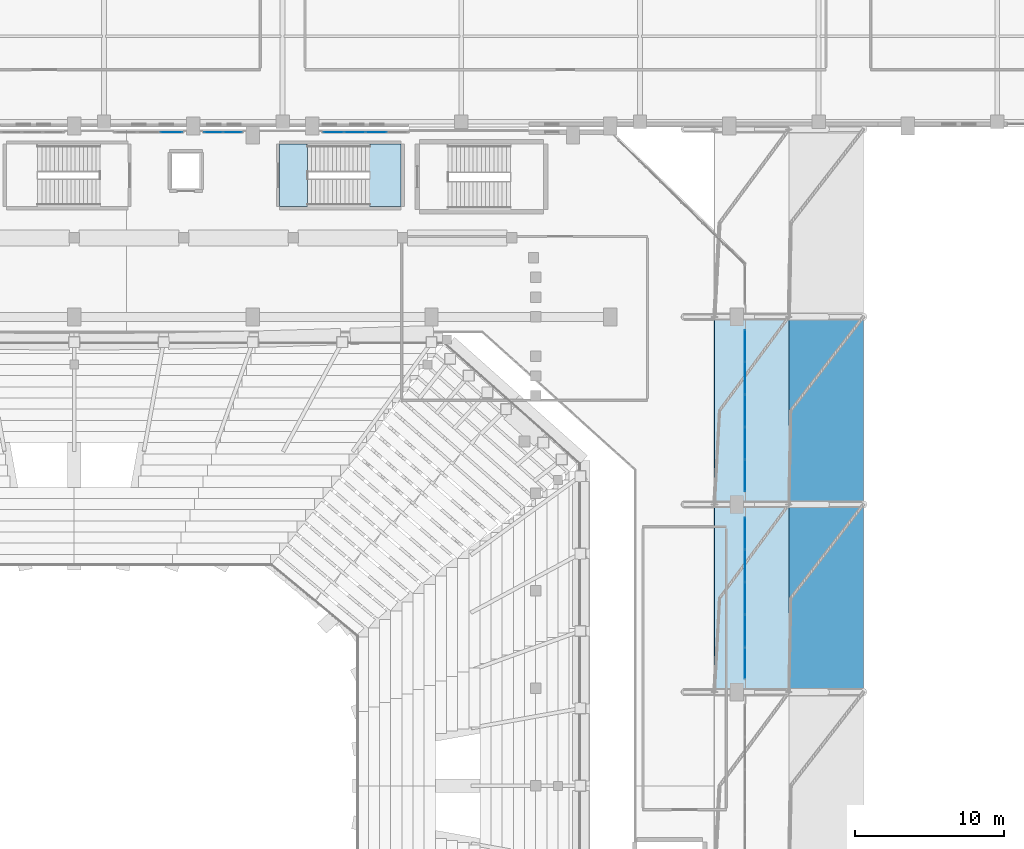
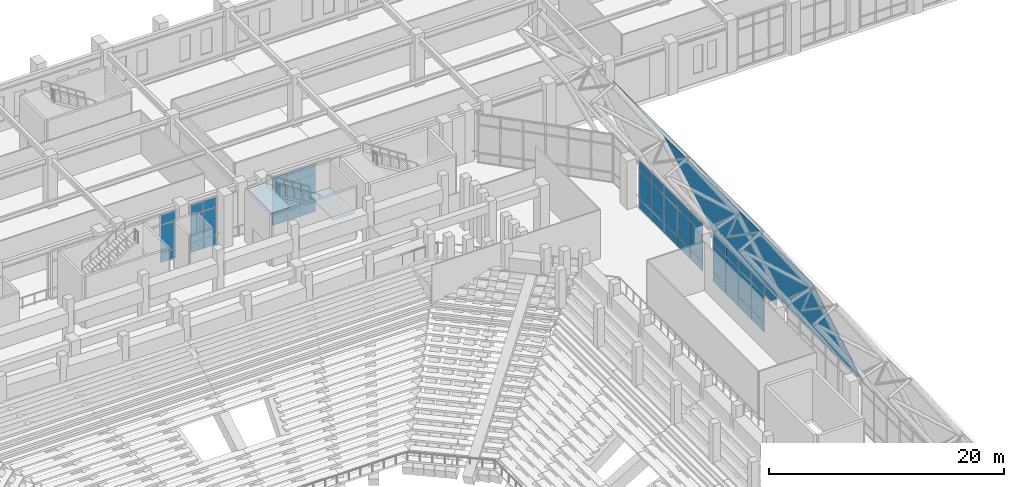
# One storey, part 107 of 159: 50 plates, 2 slabs, 6 elements without a shape of their own.
"""IFC4 building model written with IfcOpenShell, lengths in metres."""

from ifc_helpers import new_model, si_unit, derived_unit, direction, frame, origin, origin_2d, place, context, subcontext, project, spatial, polyline, rectangle, outline, extrude, material, layer, layer_set, type_object, element, aggregate, save


model = new_model("IFC4")

# Units and contexts
model_context = context("Model", 3, precision=1e-05, world=origin(), true_north=direction((0.0, 1.0)))
body_context = subcontext(model_context, "Body", "Model", "MODEL_VIEW")
ifc_project = project(units=[si_unit("LENGTHUNIT", "METRE"), si_unit("AREAUNIT", "SQUARE_METRE"), si_unit("VOLUMEUNIT", "CUBIC_METRE"), si_unit("PLANEANGLEUNIT", "RADIAN"), si_unit("MASSUNIT", "GRAM", prefix="KILO"), derived_unit("THERMALTRANSMITTANCEUNIT", [(si_unit("MASSUNIT", "GRAM", prefix="KILO"), 1), (si_unit("TIMEUNIT", "SECOND"), -3), (si_unit("THERMODYNAMICTEMPERATUREUNIT", "KELVIN"), -1)])], contexts=[model_context])

# Site, building, storey
site_placement = place(None, origin())
site = spatial("IfcSite", under=ifc_project, at=site_placement, CompositionType="ELEMENT")
building_placement = place(site_placement, origin())
building = spatial("IfcBuilding", under=site, at=building_placement, Name="Valcora Ridge Arena", CompositionType="ELEMENT")
storey_placement = place(building_placement, frame((0.0, 0.0, 6.0)))
storey = spatial("IfcBuildingStorey", under=building, at=storey_placement, Name="L01", CompositionType="ELEMENT", Elevation=6.0)

# Stair, slabs
ifc_material_1 = material(Name="Concrete C40/50", Category="concrete")
stair_type = type_object("IfcStairType", Name="TY-STAIR-ES04-54", PredefinedType="HALF_TURN_STAIR", material=ifc_material_1)
stair_placement = place(storey_placement, origin())
stair = element("IfcStair", 1, at=stair_placement, inside=storey, type_object=stair_type, Name="ES04-54 STR-ES-0014", PredefinedType="HALF_TURN_STAIR")
ifc_layer_1 = layer(ifc_material_1, 0.199951171875, Name="Concrete C40/50")
ifc_layer_set_1 = layer_set([ifc_layer_1], Name="Concrete C40/50")
slab_type = type_object("IfcSlabType", Name="TY-LAND-ES04-54", PredefinedType="LANDING", material=ifc_layer_set_1)
slab_1_placement = place(storey_placement, frame((0.0, 0.0, 2.5)))
slab_1 = element("IfcSlab", 2, at=slab_1_placement, type_object=slab_type, Name="ES04-54 landing 1", PredefinedType="LANDING", context=body_context, shape_type="SweptSolid", body=[
    extrude(outline(polyline([(77.840087890625, 103.001953125), (79.9580078125, 103.001953125), (79.9580078125, 107.197998046875), (77.840087890625, 107.197998046875), (77.840087890625, 103.001953125)])), origin(), (0.0, 0.0, 1.0), 0.199951171875),
])
slab_2_placement = place(storey_placement, frame((0.0, 0.0, 5.199951171875)))
slab_2 = element("IfcSlab", 3, at=slab_2_placement, type_object=slab_type, Name="ES04-54 landing 2", PredefinedType="LANDING", context=body_context, shape_type="SweptSolid", body=[
    extrude(outline(polyline([(71.802001953125, 103.001953125), (73.679931640625, 103.001953125), (73.679931640625, 107.197998046875), (71.802001953125, 107.197998046875), (71.802001953125, 103.001953125)])), origin(), (0.0, 0.0, 1.0), 0.199951171875),
])
aggregate(stair, [slab_1, slab_2])

# Plates
ifc_material_2 = material(Name="Steel ASTM A572 Grade 50", Category="steel")
ifc_layer_2 = layer(ifc_material_2, 0.048095703125, Name="Steel ASTM A572 Grade 50")
ifc_layer_set_2 = layer_set([ifc_layer_2], Name="Steel ASTM A572 Grade 50")
plate_type_1 = type_object("IfcPlateType", Name="TY-PLATE-PL-SKIRT-13", PredefinedType="SHEET", material=ifc_layer_set_2)
for number, where, z_axis, x_axis, name in (
    (4, (101.0, 70.39990234375, 13.45361328125), (0.831958588032, 0.0, 0.554837731053), (0.554837731053, 0.0, -0.831958588032), "PL-SKIRT-13 PLT-RF-0009"),
    (5, (101.0, 83.0, 13.45361328125), (0.831958588032, 0.0, 0.554837731053), (0.554837731053, 0.0, -0.831958588032), "PL-SKIRT-13 PLT-RF-0011"),
):
    element("IfcPlate", number, at=place(storey_placement, frame(where, z_axis=z_axis, x_axis=x_axis)), inside=storey, type_object=plate_type_1, Name=name, PredefinedType="SHEET", context=body_context, shape_type="SweptSolid", body=[
        extrude(outline(polyline([(0.0, 0.0), (9.0116438017177, 0.0), (9.0116438017177, 12.60009765625), (0.0, 12.60009765625), (0.0, 0.0)])), origin(), (0.0, 0.0, -1.0), 0.048095703125),
    ])
ifc_layer_3 = layer(ifc_material_2, 0.048095703125, Name="Steel ASTM A572 Grade 50")
ifc_layer_set_3 = layer_set([ifc_layer_3], Name="Steel ASTM A572 Grade 50")
plate_type_2 = type_object("IfcPlateType", Name="TY-PLATE-PL-SKIRT-14", PredefinedType="SHEET", material=ifc_layer_set_3)
for number, where, z_axis, x_axis, name in (
    (6, (106.0, 70.39990234375, 5.956298828125), (0.922302243293, 0.0, 0.386469367501), (0.386469367501, 0.0, -0.922302243293), "PL-SKIRT-14 PLT-RF-0010"),
    (7, (106.0, 83.0, 5.956298828125), (0.922302243293, 0.0, 0.386469367501), (0.386469367501, 0.0, -0.922302243293), "PL-SKIRT-14 PLT-RF-0012"),
):
    element("IfcPlate", number, at=place(storey_placement, frame(where, z_axis=z_axis, x_axis=x_axis)), inside=storey, type_object=plate_type_2, Name=name, PredefinedType="SHEET", context=body_context, shape_type="SweptSolid", body=[
        extrude(outline(polyline([(0.0, 0.0), (12.963536535956582, 0.0), (12.963536535956582, 12.600097656250004), (0.0, 12.600097656250004), (0.0, 0.0)])), origin(), (0.0, 0.0, -1.0), 0.048095703125),
    ])

# Curtain wall, plates
ifc_material_3 = material(Name="Anodised dark bronze architectural aluminium 6063-T6", Category="aluminium")
ifc_layer_4 = layer(ifc_material_3, 0.179931640625, Name="Anodised dark bronze architectural aluminium 6063-T6")
ifc_layer_set_4 = layer_set([ifc_layer_4], Name="Anodised dark bronze architectural aluminium 6063-T6")
curtain_wall_type_1 = type_object("IfcCurtainWallType", Name="TY-CURTAINWALL-CW-V1-GOTH-026X50", PredefinedType="NOTDEFINED", material=ifc_layer_set_4)
curtain_wall_1_placement = place(storey_placement, origin())
curtain_wall_1 = element("IfcCurtainWall", 8, at=curtain_wall_1_placement, inside=storey, type_object=curtain_wall_type_1, Name="CW-V1-GOTH-026X50 CW-0104", PredefinedType="NOTDEFINED")
ifc_material_4 = material(Name="Low-iron solar-control double glazing SHGC 0.28", Category="glass")
ifc_layer_5 = layer(ifc_material_4, 0.031982421875, Name="Low-iron solar-control double glazing SHGC 0.28")
ifc_layer_set_5 = layer_set([ifc_layer_5], Name="Low-iron solar-control double glazing SHGC 0.28")
plate_type_3 = type_object("IfcPlateType", Name="TY-PLT-CWP-1220X0960", PredefinedType="CURTAIN_PANEL", material=ifc_layer_set_5)
plate_1_placement = place(storey_placement, frame((67.360107421875, 108.0, 0.06005859375), z_axis=(0.0, 0.0, 1.0), x_axis=(1.0, 0.0, 0.0)))
plate_1 = element("IfcPlate", 9, at=plate_1_placement, type_object=plate_type_3, Name="CW-0104/P00-00", PredefinedType="CURTAIN_PANEL", context=body_context, shape_type="SweptSolid", body=[
    extrude(rectangle(XDim=1.219970703125, YDim=0.031982421875, at=origin_2d()), origin(), (0.0, 0.0, 1.0), 0.9599609375),
])
plate_2_placement = place(storey_placement, frame((68.639892578125, 108.0, 0.06005859375), z_axis=(0.0, 0.0, 1.0), x_axis=(1.0, 0.0, 0.0)))
plate_2 = element("IfcPlate", 10, at=plate_2_placement, type_object=plate_type_3, Name="CW-0104/P01-00", PredefinedType="CURTAIN_PANEL", context=body_context, shape_type="SweptSolid", body=[
    extrude(rectangle(XDim=1.219970703125, YDim=0.031982421875, at=origin_2d()), origin(), (0.0, 0.0, 1.0), 0.9599609375),
])
ifc_layer_6 = layer(ifc_material_4, 0.031982421875, Name="Low-iron solar-control double glazing SHGC 0.28")
ifc_layer_set_6 = layer_set([ifc_layer_6], Name="Low-iron solar-control double glazing SHGC 0.28")
plate_type_4 = type_object("IfcPlateType", Name="TY-PLT-CWP-1220X1010", PredefinedType="CURTAIN_PANEL", material=ifc_layer_set_6)
plate_3_placement = place(storey_placement, frame((67.360107421875, 108.0, 3.97021484375), z_axis=(0.0, 0.0, 1.0), x_axis=(1.0, 0.0, 0.0)))
plate_3 = element("IfcPlate", 11, at=plate_3_placement, type_object=plate_type_4, Name="CW-0104/P00-02", PredefinedType="CURTAIN_PANEL", context=body_context, shape_type="SweptSolid", body=[
    extrude(rectangle(XDim=1.219970703125, YDim=0.031982421875, at=origin_2d()), origin(), (0.0, 0.0, 1.0), 1.010009765625),
])
plate_4_placement = place(storey_placement, frame((68.639892578125, 108.0, 3.97021484375), z_axis=(0.0, 0.0, 1.0), x_axis=(1.0, 0.0, 0.0)))
plate_4 = element("IfcPlate", 12, at=plate_4_placement, type_object=plate_type_4, Name="CW-0104/P01-02", PredefinedType="CURTAIN_PANEL", context=body_context, shape_type="SweptSolid", body=[
    extrude(rectangle(XDim=1.219970703125, YDim=0.031982421875, at=origin_2d()), origin(), (0.0, 0.0, 1.0), 1.010009765625),
])
ifc_layer_7 = layer(ifc_material_4, 0.031982421875, Name="Low-iron solar-control double glazing SHGC 0.28")
ifc_layer_set_7 = layer_set([ifc_layer_7], Name="Low-iron solar-control double glazing SHGC 0.28")
plate_type_5 = type_object("IfcPlateType", Name="TY-PLT-CWP-1220X2830", PredefinedType="CURTAIN_PANEL", material=ifc_layer_set_7)
plate_5_placement = place(storey_placement, frame((67.360107421875, 108.0, 1.080078125), z_axis=(0.0, 0.0, 1.0), x_axis=(1.0, 0.0, 0.0)))
plate_5 = element("IfcPlate", 13, at=plate_5_placement, type_object=plate_type_5, Name="CW-0104/P00-01", PredefinedType="CURTAIN_PANEL", context=body_context, shape_type="SweptSolid", body=[
    extrude(rectangle(XDim=1.219970703125, YDim=0.031982421875, at=origin_2d()), origin(), (0.0, 0.0, 1.0), 2.830078125),
])
plate_6_placement = place(storey_placement, frame((68.639892578125, 108.0, 1.080078125), z_axis=(0.0, 0.0, 1.0), x_axis=(1.0, 0.0, 0.0)))
plate_6 = element("IfcPlate", 14, at=plate_6_placement, type_object=plate_type_5, Name="CW-0104/P01-01", PredefinedType="CURTAIN_PANEL", context=body_context, shape_type="SweptSolid", body=[
    extrude(rectangle(XDim=1.219970703125, YDim=0.031982421875, at=origin_2d()), origin(), (0.0, 0.0, 1.0), 2.830078125),
])
aggregate(curtain_wall_1, [plate_1, plate_5, plate_3, plate_2, plate_6, plate_4])

ifc_layer_8 = layer(ifc_material_3, 0.179931640625, Name="Anodised dark bronze architectural aluminium 6063-T6")
ifc_layer_set_8 = layer_set([ifc_layer_8], Name="Anodised dark bronze architectural aluminium 6063-T6")
curtain_wall_type_2 = type_object("IfcCurtainWallType", Name="TY-CURTAINWALL-CW-V1-GOTH-058X50", PredefinedType="NOTDEFINED", material=ifc_layer_set_8)
curtain_wall_2_placement = place(storey_placement, origin())
curtain_wall_2 = element("IfcCurtainWall", 15, at=curtain_wall_2_placement, inside=storey, type_object=curtain_wall_type_2, Name="CW-V1-GOTH-058X50 CW-0105", PredefinedType="NOTDEFINED")
ifc_layer_9 = layer(ifc_material_4, 0.031982421875, Name="Low-iron solar-control double glazing SHGC 0.28")
ifc_layer_set_9 = layer_set([ifc_layer_9], Name="Low-iron solar-control double glazing SHGC 0.28")
plate_type_6 = type_object("IfcPlateType", Name="TY-PLT-CWP-1350X0960", PredefinedType="CURTAIN_PANEL", material=ifc_layer_set_9)
plate_7_placement = place(storey_placement, frame((75.425048828125, 108.0, 0.06005859375), z_axis=(0.0, 0.0, 1.0), x_axis=(1.0, 0.0, 0.0)))
plate_7 = element("IfcPlate", 16, at=plate_7_placement, type_object=plate_type_6, Name="CW-0105/P00-00", PredefinedType="CURTAIN_PANEL", context=body_context, shape_type="SweptSolid", body=[
    extrude(rectangle(XDim=1.35009765625, YDim=0.031982421875, at=origin_2d()), origin(), (0.0, 0.0, 1.0), 0.9599609375),
])
ifc_layer_10 = layer(ifc_material_4, 0.031982421875, Name="Low-iron solar-control double glazing SHGC 0.28")
ifc_layer_set_10 = layer_set([ifc_layer_10], Name="Low-iron solar-control double glazing SHGC 0.28")
plate_type_7 = type_object("IfcPlateType", Name="TY-PLT-CWP-1350X1010", PredefinedType="CURTAIN_PANEL", material=ifc_layer_set_10)
plate_8_placement = place(storey_placement, frame((75.425048828125, 108.0, 3.97021484375), z_axis=(0.0, 0.0, 1.0), x_axis=(1.0, 0.0, 0.0)))
plate_8 = element("IfcPlate", 17, at=plate_8_placement, type_object=plate_type_7, Name="CW-0105/P00-02", PredefinedType="CURTAIN_PANEL", context=body_context, shape_type="SweptSolid", body=[
    extrude(rectangle(XDim=1.35009765625, YDim=0.031982421875, at=origin_2d()), origin(), (0.0, 0.0, 1.0), 1.010009765625),
])
ifc_layer_11 = layer(ifc_material_4, 0.031982421875, Name="Low-iron solar-control double glazing SHGC 0.28")
ifc_layer_set_11 = layer_set([ifc_layer_11], Name="Low-iron solar-control double glazing SHGC 0.28")
plate_type_8 = type_object("IfcPlateType", Name="TY-PLT-CWP-1350X2830", PredefinedType="CURTAIN_PANEL", material=ifc_layer_set_11)
plate_9_placement = place(storey_placement, frame((75.425048828125, 108.0, 1.080078125), z_axis=(0.0, 0.0, 1.0), x_axis=(1.0, 0.0, 0.0)))
plate_9 = element("IfcPlate", 18, at=plate_9_placement, type_object=plate_type_8, Name="CW-0105/P00-01", PredefinedType="CURTAIN_PANEL", context=body_context, shape_type="SweptSolid", body=[
    extrude(rectangle(XDim=1.35009765625, YDim=0.031982421875, at=origin_2d()), origin(), (0.0, 0.0, 1.0), 2.830078125),
])
ifc_layer_12 = layer(ifc_material_4, 0.031982421875, Name="Low-iron solar-control double glazing SHGC 0.28")
ifc_layer_set_12 = layer_set([ifc_layer_12], Name="Low-iron solar-control double glazing SHGC 0.28")
plate_type_9 = type_object("IfcPlateType", Name="TY-PLT-CWP-1380X0960", PredefinedType="CURTAIN_PANEL", material=ifc_layer_set_12)
plate_10_placement = place(storey_placement, frame((76.85009765625, 108.0, 0.06005859375), z_axis=(0.0, 0.0, 1.0), x_axis=(1.0, 0.0, 0.0)))
plate_10 = element("IfcPlate", 19, at=plate_10_placement, type_object=plate_type_9, Name="CW-0105/P01-00", PredefinedType="CURTAIN_PANEL", context=body_context, shape_type="SweptSolid", body=[
    extrude(rectangle(XDim=1.3798828125, YDim=0.031982421875, at=origin_2d()), origin(), (0.0, 0.0, 1.0), 0.9599609375),
])
plate_11_placement = place(storey_placement, frame((78.2900390625, 108.0, 0.06005859375), z_axis=(0.0, 0.0, 1.0), x_axis=(1.0, 0.0, 0.0)))
plate_11 = element("IfcPlate", 20, at=plate_11_placement, type_object=plate_type_9, Name="CW-0105/P02-00", PredefinedType="CURTAIN_PANEL", context=body_context, shape_type="SweptSolid", body=[
    extrude(rectangle(XDim=1.3798828125, YDim=0.031982421875, at=origin_2d()), origin(), (0.0, 0.0, 1.0), 0.9599609375),
])
ifc_layer_13 = layer(ifc_material_4, 0.031982421875, Name="Low-iron solar-control double glazing SHGC 0.28")
ifc_layer_set_13 = layer_set([ifc_layer_13], Name="Low-iron solar-control double glazing SHGC 0.28")
plate_type_10 = type_object("IfcPlateType", Name="TY-PLT-CWP-1380X1010", PredefinedType="CURTAIN_PANEL", material=ifc_layer_set_13)
plate_12_placement = place(storey_placement, frame((76.85009765625, 108.0, 3.97021484375), z_axis=(0.0, 0.0, 1.0), x_axis=(1.0, 0.0, 0.0)))
plate_12 = element("IfcPlate", 21, at=plate_12_placement, type_object=plate_type_10, Name="CW-0105/P01-02", PredefinedType="CURTAIN_PANEL", context=body_context, shape_type="SweptSolid", body=[
    extrude(rectangle(XDim=1.3798828125, YDim=0.031982421875, at=origin_2d()), origin(), (0.0, 0.0, 1.0), 1.010009765625),
])
plate_13_placement = place(storey_placement, frame((78.2900390625, 108.0, 3.97021484375), z_axis=(0.0, 0.0, 1.0), x_axis=(1.0, 0.0, 0.0)))
plate_13 = element("IfcPlate", 22, at=plate_13_placement, type_object=plate_type_10, Name="CW-0105/P02-02", PredefinedType="CURTAIN_PANEL", context=body_context, shape_type="SweptSolid", body=[
    extrude(rectangle(XDim=1.3798828125, YDim=0.031982421875, at=origin_2d()), origin(), (0.0, 0.0, 1.0), 1.010009765625),
])
ifc_layer_14 = layer(ifc_material_4, 0.031982421875, Name="Low-iron solar-control double glazing SHGC 0.28")
ifc_layer_set_14 = layer_set([ifc_layer_14], Name="Low-iron solar-control double glazing SHGC 0.28")
plate_type_11 = type_object("IfcPlateType", Name="TY-PLT-CWP-1380X2830", PredefinedType="CURTAIN_PANEL", material=ifc_layer_set_14)
plate_14_placement = place(storey_placement, frame((76.85009765625, 108.0, 1.080078125), z_axis=(0.0, 0.0, 1.0), x_axis=(1.0, 0.0, 0.0)))
plate_14 = element("IfcPlate", 23, at=plate_14_placement, type_object=plate_type_11, Name="CW-0105/P01-01", PredefinedType="CURTAIN_PANEL", context=body_context, shape_type="SweptSolid", body=[
    extrude(rectangle(XDim=1.3798828125, YDim=0.031982421875, at=origin_2d()), origin(), (0.0, 0.0, 1.0), 2.830078125),
])
plate_15_placement = place(storey_placement, frame((78.2900390625, 108.0, 1.080078125), z_axis=(0.0, 0.0, 1.0), x_axis=(1.0, 0.0, 0.0)))
plate_15 = element("IfcPlate", 24, at=plate_15_placement, type_object=plate_type_11, Name="CW-0105/P02-01", PredefinedType="CURTAIN_PANEL", context=body_context, shape_type="SweptSolid", body=[
    extrude(rectangle(XDim=1.3798828125, YDim=0.031982421875, at=origin_2d()), origin(), (0.0, 0.0, 1.0), 2.830078125),
])
aggregate(curtain_wall_2, [plate_7, plate_9, plate_8, plate_10, plate_14, plate_12, plate_11, plate_15, plate_13])

ifc_layer_15 = layer(ifc_material_3, 0.179931640625, Name="Anodised dark bronze architectural aluminium 6063-T6")
ifc_layer_set_15 = layer_set([ifc_layer_15], Name="Anodised dark bronze architectural aluminium 6063-T6")
curtain_wall_type_3 = type_object("IfcCurtainWallType", Name="TY-CURTAINWALL-CW-V1-GOTH-046X50", PredefinedType="NOTDEFINED", material=ifc_layer_set_15)
curtain_wall_3_placement = place(storey_placement, origin())
curtain_wall_3 = element("IfcCurtainWall", 25, at=curtain_wall_3_placement, inside=storey, type_object=curtain_wall_type_3, Name="CW-V1-GOTH-046X50 CW-0103", PredefinedType="NOTDEFINED")
ifc_layer_16 = layer(ifc_material_4, 0.031982421875, Name="Low-iron solar-control double glazing SHGC 0.28")
ifc_layer_set_16 = layer_set([ifc_layer_16], Name="Low-iron solar-control double glazing SHGC 0.28")
plate_type_12 = type_object("IfcPlateType", Name="TY-PLT-CWP-1450X0960", PredefinedType="CURTAIN_PANEL", material=ifc_layer_set_16)
plate_16_placement = place(storey_placement, frame((64.52490234375, 108.0, 0.06005859375), z_axis=(0.0, 0.0, 1.0), x_axis=(1.0, 0.0, 0.0)))
plate_16 = element("IfcPlate", 26, at=plate_16_placement, type_object=plate_type_12, Name="CW-0103/P02-00", PredefinedType="CURTAIN_PANEL", context=body_context, shape_type="SweptSolid", body=[
    extrude(rectangle(XDim=1.449951171875, YDim=0.031982421875, at=origin_2d()), origin(), (0.0, 0.0, 1.0), 0.9599609375),
])
ifc_layer_17 = layer(ifc_material_4, 0.031982421875, Name="Low-iron solar-control double glazing SHGC 0.28")
ifc_layer_set_17 = layer_set([ifc_layer_17], Name="Low-iron solar-control double glazing SHGC 0.28")
plate_type_13 = type_object("IfcPlateType", Name="TY-PLT-CWP-1450X1010", PredefinedType="CURTAIN_PANEL", material=ifc_layer_set_17)
plate_17_placement = place(storey_placement, frame((64.52490234375, 108.0, 3.97021484375), z_axis=(0.0, 0.0, 1.0), x_axis=(1.0, 0.0, 0.0)))
plate_17 = element("IfcPlate", 27, at=plate_17_placement, type_object=plate_type_13, Name="CW-0103/P02-02", PredefinedType="CURTAIN_PANEL", context=body_context, shape_type="SweptSolid", body=[
    extrude(rectangle(XDim=1.449951171875, YDim=0.031982421875, at=origin_2d()), origin(), (0.0, 0.0, 1.0), 1.010009765625),
])
ifc_layer_18 = layer(ifc_material_4, 0.031982421875, Name="Low-iron solar-control double glazing SHGC 0.28")
ifc_layer_set_18 = layer_set([ifc_layer_18], Name="Low-iron solar-control double glazing SHGC 0.28")
plate_type_14 = type_object("IfcPlateType", Name="TY-PLT-CWP-1450X2830", PredefinedType="CURTAIN_PANEL", material=ifc_layer_set_18)
plate_18_placement = place(storey_placement, frame((64.52490234375, 108.0, 1.080078125), z_axis=(0.0, 0.0, 1.0), x_axis=(1.0, 0.0, 0.0)))
plate_18 = element("IfcPlate", 28, at=plate_18_placement, type_object=plate_type_14, Name="CW-0103/P02-01", PredefinedType="CURTAIN_PANEL", context=body_context, shape_type="SweptSolid", body=[
    extrude(rectangle(XDim=1.449951171875, YDim=0.031982421875, at=origin_2d()), origin(), (0.0, 0.0, 1.0), 2.830078125),
])
aggregate(curtain_wall_3, [plate_16, plate_18, plate_17])

# Curtain wall, plate
ifc_layer_19 = layer(ifc_material_3, 0.14990234375, Name="Anodised dark bronze architectural aluminium 6063-T6")
ifc_layer_set_19 = layer_set([ifc_layer_19], Name="Anodised dark bronze architectural aluminium 6063-T6")
curtain_wall_type_4 = type_object("IfcCurtainWallType", Name="TY-CURTAINWALL-CW-V1-EAST-109X50", PredefinedType="NOTDEFINED", material=ifc_layer_set_19)
curtain_wall_4_placement = place(storey_placement, origin())
curtain_wall_4 = element("IfcCurtainWall", 29, at=curtain_wall_4_placement, inside=storey, type_object=curtain_wall_type_4, Name="CW-V1-EAST-109X50 CW-0110", PredefinedType="NOTDEFINED")
ifc_layer_20 = layer(ifc_material_4, 0.028076171875, Name="Low-iron solar-control double glazing SHGC 0.28")
ifc_layer_set_20 = layer_set([ifc_layer_20], Name="Low-iron solar-control double glazing SHGC 0.28")
plate_type_15 = type_object("IfcPlateType", Name="TY-PLT-CWP-2109X0975", PredefinedType="CURTAIN_PANEL", material=ifc_layer_set_20)
plate_19_placement = place(storey_placement, frame((103.050048828125, 81.055419921875, 0.050048828125), z_axis=(0.0, 0.0, 1.0), x_axis=(0.0, 1.0, 0.0)))
plate_19 = element("IfcPlate", 30, at=plate_19_placement, type_object=plate_type_15, Name="CW-0110/P04-00", PredefinedType="CURTAIN_PANEL", context=body_context, shape_type="SweptSolid", body=[
    extrude(rectangle(XDim=2.10888671875, YDim=0.028076171875, at=origin_2d()), origin(), (0.0, 0.0, 1.0), 0.97509765625),
])

# Curtain wall, plates
curtain_wall_5_placement = place(storey_placement, origin())
curtain_wall_5 = element("IfcCurtainWall", 31, at=curtain_wall_5_placement, inside=storey, type_object=curtain_wall_type_4, Name="CW-V1-EAST-109X50 CW-0111", PredefinedType="NOTDEFINED")
plate_20_placement = place(storey_placement, frame((103.050048828125, 84.944580078125, 0.050048828125), z_axis=(0.0, 0.0, 1.0), x_axis=(0.0, 1.0, 0.0)))
plate_20 = element("IfcPlate", 32, at=plate_20_placement, type_object=plate_type_15, Name="CW-0111/P00-00", PredefinedType="CURTAIN_PANEL", context=body_context, shape_type="SweptSolid", body=[
    extrude(rectangle(XDim=2.10888671875, YDim=0.028076171875, at=origin_2d()), origin(), (0.0, 0.0, 1.0), 0.97509765625),
])
plate_21_placement = place(storey_placement, frame((103.050048828125, 93.655517578125, 0.050048828125), z_axis=(0.0, 0.0, 1.0), x_axis=(0.0, 1.0, 0.0)))
plate_21 = element("IfcPlate", 33, at=plate_21_placement, type_object=plate_type_15, Name="CW-0111/P04-00", PredefinedType="CURTAIN_PANEL", context=body_context, shape_type="SweptSolid", body=[
    extrude(rectangle(XDim=2.10888671875, YDim=0.028076171875, at=origin_2d()), origin(), (0.0, 0.0, 1.0), 0.97509765625),
])

# Plate
ifc_layer_21 = layer(ifc_material_4, 0.028076171875, Name="Low-iron solar-control double glazing SHGC 0.28")
ifc_layer_set_21 = layer_set([ifc_layer_21], Name="Low-iron solar-control double glazing SHGC 0.28")
plate_type_16 = type_object("IfcPlateType", Name="TY-PLT-CWP-2109X1025", PredefinedType="CURTAIN_PANEL", material=ifc_layer_set_21)
plate_22_placement = place(storey_placement, frame((103.050048828125, 72.344482421875, 3.965087890625), z_axis=(0.0, 0.0, 1.0), x_axis=(0.0, 1.0, 0.0)))
plate_22 = element("IfcPlate", 34, at=plate_22_placement, type_object=plate_type_16, Name="CW-0110/P00-02", PredefinedType="CURTAIN_PANEL", context=body_context, shape_type="SweptSolid", body=[
    extrude(rectangle(XDim=2.10888671875, YDim=0.028076171875, at=origin_2d()), origin(), (0.0, 0.0, 1.0), 1.02490234375),
])

plate_23_placement = place(storey_placement, frame((103.050048828125, 81.055419921875, 3.965087890625), z_axis=(0.0, 0.0, 1.0), x_axis=(0.0, 1.0, 0.0)))
plate_23 = element("IfcPlate", 35, at=plate_23_placement, type_object=plate_type_16, Name="CW-0110/P04-02", PredefinedType="CURTAIN_PANEL", context=body_context, shape_type="SweptSolid", body=[
    extrude(rectangle(XDim=2.10888671875, YDim=0.028076171875, at=origin_2d()), origin(), (0.0, 0.0, 1.0), 1.02490234375),
])

plate_24_placement = place(storey_placement, frame((103.050048828125, 84.944580078125, 3.965087890625), z_axis=(0.0, 0.0, 1.0), x_axis=(0.0, 1.0, 0.0)))
plate_24 = element("IfcPlate", 36, at=plate_24_placement, type_object=plate_type_16, Name="CW-0111/P00-02", PredefinedType="CURTAIN_PANEL", context=body_context, shape_type="SweptSolid", body=[
    extrude(rectangle(XDim=2.10888671875, YDim=0.028076171875, at=origin_2d()), origin(), (0.0, 0.0, 1.0), 1.02490234375),
])

plate_25_placement = place(storey_placement, frame((103.050048828125, 93.655517578125, 3.965087890625), z_axis=(0.0, 0.0, 1.0), x_axis=(0.0, 1.0, 0.0)))
plate_25 = element("IfcPlate", 37, at=plate_25_placement, type_object=plate_type_16, Name="CW-0111/P04-02", PredefinedType="CURTAIN_PANEL", context=body_context, shape_type="SweptSolid", body=[
    extrude(rectangle(XDim=2.10888671875, YDim=0.028076171875, at=origin_2d()), origin(), (0.0, 0.0, 1.0), 1.02490234375),
])

ifc_layer_22 = layer(ifc_material_4, 0.028076171875, Name="Low-iron solar-control double glazing SHGC 0.28")
ifc_layer_set_22 = layer_set([ifc_layer_22], Name="Low-iron solar-control double glazing SHGC 0.28")
plate_type_17 = type_object("IfcPlateType", Name="TY-PLT-CWP-2109X2840", PredefinedType="CURTAIN_PANEL", material=ifc_layer_set_22)
plate_26_placement = place(storey_placement, frame((103.050048828125, 81.055419921875, 1.0751953125), z_axis=(0.0, 0.0, 1.0), x_axis=(0.0, 1.0, 0.0)))
plate_26 = element("IfcPlate", 38, at=plate_26_placement, type_object=plate_type_17, Name="CW-0110/P04-01", PredefinedType="CURTAIN_PANEL", context=body_context, shape_type="SweptSolid", body=[
    extrude(rectangle(XDim=2.10888671875, YDim=0.028076171875, at=origin_2d()), origin(), (0.0, 0.0, 1.0), 2.840087890625),
])

plate_27_placement = place(storey_placement, frame((103.050048828125, 84.944580078125, 1.0751953125), z_axis=(0.0, 0.0, 1.0), x_axis=(0.0, 1.0, 0.0)))
plate_27 = element("IfcPlate", 39, at=plate_27_placement, type_object=plate_type_17, Name="CW-0111/P00-01", PredefinedType="CURTAIN_PANEL", context=body_context, shape_type="SweptSolid", body=[
    extrude(rectangle(XDim=2.10888671875, YDim=0.028076171875, at=origin_2d()), origin(), (0.0, 0.0, 1.0), 2.840087890625),
])

plate_28_placement = place(storey_placement, frame((103.050048828125, 93.655517578125, 1.0751953125), z_axis=(0.0, 0.0, 1.0), x_axis=(0.0, 1.0, 0.0)))
plate_28 = element("IfcPlate", 40, at=plate_28_placement, type_object=plate_type_17, Name="CW-0111/P04-01", PredefinedType="CURTAIN_PANEL", context=body_context, shape_type="SweptSolid", body=[
    extrude(rectangle(XDim=2.10888671875, YDim=0.028076171875, at=origin_2d()), origin(), (0.0, 0.0, 1.0), 2.840087890625),
])

ifc_layer_23 = layer(ifc_material_4, 0.028076171875, Name="Low-iron solar-control double glazing SHGC 0.28")
ifc_layer_set_23 = layer_set([ifc_layer_23], Name="Low-iron solar-control double glazing SHGC 0.28")
plate_type_18 = type_object("IfcPlateType", Name="TY-PLT-CWP-2134X0975", PredefinedType="CURTAIN_PANEL", material=ifc_layer_set_23)
plate_29_placement = place(storey_placement, frame((103.050048828125, 74.51611328125, 0.050048828125), z_axis=(0.0, 0.0, 1.0), x_axis=(0.0, 1.0, 0.0)))
plate_29 = element("IfcPlate", 41, at=plate_29_placement, type_object=plate_type_18, Name="CW-0110/P01-00", PredefinedType="CURTAIN_PANEL", context=body_context, shape_type="SweptSolid", body=[
    extrude(rectangle(XDim=2.134033203125, YDim=0.028076171875, at=origin_2d()), origin(), (0.0, 0.0, 1.0), 0.97509765625),
])

plate_30_placement = place(storey_placement, frame((103.050048828125, 76.699951171875, 0.050048828125), z_axis=(0.0, 0.0, 1.0), x_axis=(0.0, 1.0, 0.0)))
plate_30 = element("IfcPlate", 42, at=plate_30_placement, type_object=plate_type_18, Name="CW-0110/P02-00", PredefinedType="CURTAIN_PANEL", context=body_context, shape_type="SweptSolid", body=[
    extrude(rectangle(XDim=2.134033203125, YDim=0.028076171875, at=origin_2d()), origin(), (0.0, 0.0, 1.0), 0.97509765625),
])

plate_31_placement = place(storey_placement, frame((103.050048828125, 78.884033203125, 0.050048828125), z_axis=(0.0, 0.0, 1.0), x_axis=(0.0, 1.0, 0.0)))
plate_31 = element("IfcPlate", 43, at=plate_31_placement, type_object=plate_type_18, Name="CW-0110/P03-00", PredefinedType="CURTAIN_PANEL", context=body_context, shape_type="SweptSolid", body=[
    extrude(rectangle(XDim=2.134033203125, YDim=0.028076171875, at=origin_2d()), origin(), (0.0, 0.0, 1.0), 0.97509765625),
])

plate_32_placement = place(storey_placement, frame((103.050048828125, 87.115966796875, 0.050048828125), z_axis=(0.0, 0.0, 1.0), x_axis=(0.0, 1.0, 0.0)))
plate_32 = element("IfcPlate", 44, at=plate_32_placement, type_object=plate_type_18, Name="CW-0111/P01-00", PredefinedType="CURTAIN_PANEL", context=body_context, shape_type="SweptSolid", body=[
    extrude(rectangle(XDim=2.134033203125, YDim=0.028076171875, at=origin_2d()), origin(), (0.0, 0.0, 1.0), 0.97509765625),
])

plate_33_placement = place(storey_placement, frame((103.050048828125, 89.300048828125, 0.050048828125), z_axis=(0.0, 0.0, 1.0), x_axis=(0.0, 1.0, 0.0)))
plate_33 = element("IfcPlate", 45, at=plate_33_placement, type_object=plate_type_18, Name="CW-0111/P02-00", PredefinedType="CURTAIN_PANEL", context=body_context, shape_type="SweptSolid", body=[
    extrude(rectangle(XDim=2.134033203125, YDim=0.028076171875, at=origin_2d()), origin(), (0.0, 0.0, 1.0), 0.97509765625),
])

plate_34_placement = place(storey_placement, frame((103.050048828125, 91.48388671875, 0.050048828125), z_axis=(0.0, 0.0, 1.0), x_axis=(0.0, 1.0, 0.0)))
plate_34 = element("IfcPlate", 46, at=plate_34_placement, type_object=plate_type_18, Name="CW-0111/P03-00", PredefinedType="CURTAIN_PANEL", context=body_context, shape_type="SweptSolid", body=[
    extrude(rectangle(XDim=2.134033203125, YDim=0.028076171875, at=origin_2d()), origin(), (0.0, 0.0, 1.0), 0.97509765625),
])

ifc_layer_24 = layer(ifc_material_4, 0.028076171875, Name="Low-iron solar-control double glazing SHGC 0.28")
ifc_layer_set_24 = layer_set([ifc_layer_24], Name="Low-iron solar-control double glazing SHGC 0.28")
plate_type_19 = type_object("IfcPlateType", Name="TY-PLT-CWP-2134X1025", PredefinedType="CURTAIN_PANEL", material=ifc_layer_set_24)
plate_35_placement = place(storey_placement, frame((103.050048828125, 74.51611328125, 3.965087890625), z_axis=(0.0, 0.0, 1.0), x_axis=(0.0, 1.0, 0.0)))
plate_35 = element("IfcPlate", 47, at=plate_35_placement, type_object=plate_type_19, Name="CW-0110/P01-02", PredefinedType="CURTAIN_PANEL", context=body_context, shape_type="SweptSolid", body=[
    extrude(rectangle(XDim=2.134033203125, YDim=0.028076171875, at=origin_2d()), origin(), (0.0, 0.0, 1.0), 1.02490234375),
])

plate_36_placement = place(storey_placement, frame((103.050048828125, 76.699951171875, 3.965087890625), z_axis=(0.0, 0.0, 1.0), x_axis=(0.0, 1.0, 0.0)))
plate_36 = element("IfcPlate", 48, at=plate_36_placement, type_object=plate_type_19, Name="CW-0110/P02-02", PredefinedType="CURTAIN_PANEL", context=body_context, shape_type="SweptSolid", body=[
    extrude(rectangle(XDim=2.134033203125, YDim=0.028076171875, at=origin_2d()), origin(), (0.0, 0.0, 1.0), 1.02490234375),
])

plate_37_placement = place(storey_placement, frame((103.050048828125, 78.884033203125, 3.965087890625), z_axis=(0.0, 0.0, 1.0), x_axis=(0.0, 1.0, 0.0)))
plate_37 = element("IfcPlate", 49, at=plate_37_placement, type_object=plate_type_19, Name="CW-0110/P03-02", PredefinedType="CURTAIN_PANEL", context=body_context, shape_type="SweptSolid", body=[
    extrude(rectangle(XDim=2.134033203125, YDim=0.028076171875, at=origin_2d()), origin(), (0.0, 0.0, 1.0), 1.02490234375),
])

plate_38_placement = place(storey_placement, frame((103.050048828125, 87.115966796875, 3.965087890625), z_axis=(0.0, 0.0, 1.0), x_axis=(0.0, 1.0, 0.0)))
plate_38 = element("IfcPlate", 50, at=plate_38_placement, type_object=plate_type_19, Name="CW-0111/P01-02", PredefinedType="CURTAIN_PANEL", context=body_context, shape_type="SweptSolid", body=[
    extrude(rectangle(XDim=2.134033203125, YDim=0.028076171875, at=origin_2d()), origin(), (0.0, 0.0, 1.0), 1.02490234375),
])

plate_39_placement = place(storey_placement, frame((103.050048828125, 89.300048828125, 3.965087890625), z_axis=(0.0, 0.0, 1.0), x_axis=(0.0, 1.0, 0.0)))
plate_39 = element("IfcPlate", 51, at=plate_39_placement, type_object=plate_type_19, Name="CW-0111/P02-02", PredefinedType="CURTAIN_PANEL", context=body_context, shape_type="SweptSolid", body=[
    extrude(rectangle(XDim=2.134033203125, YDim=0.028076171875, at=origin_2d()), origin(), (0.0, 0.0, 1.0), 1.02490234375),
])

plate_40_placement = place(storey_placement, frame((103.050048828125, 91.48388671875, 3.965087890625), z_axis=(0.0, 0.0, 1.0), x_axis=(0.0, 1.0, 0.0)))
plate_40 = element("IfcPlate", 52, at=plate_40_placement, type_object=plate_type_19, Name="CW-0111/P03-02", PredefinedType="CURTAIN_PANEL", context=body_context, shape_type="SweptSolid", body=[
    extrude(rectangle(XDim=2.134033203125, YDim=0.028076171875, at=origin_2d()), origin(), (0.0, 0.0, 1.0), 1.02490234375),
])

ifc_layer_25 = layer(ifc_material_4, 0.028076171875, Name="Low-iron solar-control double glazing SHGC 0.28")
ifc_layer_set_25 = layer_set([ifc_layer_25], Name="Low-iron solar-control double glazing SHGC 0.28")
plate_type_20 = type_object("IfcPlateType", Name="TY-PLT-CWP-2134X2840", PredefinedType="CURTAIN_PANEL", material=ifc_layer_set_25)
plate_41_placement = place(storey_placement, frame((103.050048828125, 74.51611328125, 1.0751953125), z_axis=(0.0, 0.0, 1.0), x_axis=(0.0, 1.0, 0.0)))
plate_41 = element("IfcPlate", 53, at=plate_41_placement, type_object=plate_type_20, Name="CW-0110/P01-01", PredefinedType="CURTAIN_PANEL", context=body_context, shape_type="SweptSolid", body=[
    extrude(rectangle(XDim=2.134033203125, YDim=0.028076171875, at=origin_2d()), origin(), (0.0, 0.0, 1.0), 2.840087890625),
])

plate_42_placement = place(storey_placement, frame((103.050048828125, 76.699951171875, 1.0751953125), z_axis=(0.0, 0.0, 1.0), x_axis=(0.0, 1.0, 0.0)))
plate_42 = element("IfcPlate", 54, at=plate_42_placement, type_object=plate_type_20, Name="CW-0110/P02-01", PredefinedType="CURTAIN_PANEL", context=body_context, shape_type="SweptSolid", body=[
    extrude(rectangle(XDim=2.134033203125, YDim=0.028076171875, at=origin_2d()), origin(), (0.0, 0.0, 1.0), 2.840087890625),
])

plate_43_placement = place(storey_placement, frame((103.050048828125, 78.884033203125, 1.0751953125), z_axis=(0.0, 0.0, 1.0), x_axis=(0.0, 1.0, 0.0)))
plate_43 = element("IfcPlate", 55, at=plate_43_placement, type_object=plate_type_20, Name="CW-0110/P03-01", PredefinedType="CURTAIN_PANEL", context=body_context, shape_type="SweptSolid", body=[
    extrude(rectangle(XDim=2.134033203125, YDim=0.028076171875, at=origin_2d()), origin(), (0.0, 0.0, 1.0), 2.840087890625),
])

aggregate(curtain_wall_4, [plate_22, plate_29, plate_41, plate_35, plate_30, plate_42, plate_36, plate_31, plate_43, plate_37, plate_19, plate_26, plate_23])

plate_44_placement = place(storey_placement, frame((103.050048828125, 87.115966796875, 1.0751953125), z_axis=(0.0, 0.0, 1.0), x_axis=(0.0, 1.0, 0.0)))
plate_44 = element("IfcPlate", 56, at=plate_44_placement, type_object=plate_type_20, Name="CW-0111/P01-01", PredefinedType="CURTAIN_PANEL", context=body_context, shape_type="SweptSolid", body=[
    extrude(rectangle(XDim=2.134033203125, YDim=0.028076171875, at=origin_2d()), origin(), (0.0, 0.0, 1.0), 2.840087890625),
])

plate_45_placement = place(storey_placement, frame((103.050048828125, 89.300048828125, 1.0751953125), z_axis=(0.0, 0.0, 1.0), x_axis=(0.0, 1.0, 0.0)))
plate_45 = element("IfcPlate", 57, at=plate_45_placement, type_object=plate_type_20, Name="CW-0111/P02-01", PredefinedType="CURTAIN_PANEL", context=body_context, shape_type="SweptSolid", body=[
    extrude(rectangle(XDim=2.134033203125, YDim=0.028076171875, at=origin_2d()), origin(), (0.0, 0.0, 1.0), 2.840087890625),
])

plate_46_placement = place(storey_placement, frame((103.050048828125, 91.48388671875, 1.0751953125), z_axis=(0.0, 0.0, 1.0), x_axis=(0.0, 1.0, 0.0)))
plate_46 = element("IfcPlate", 58, at=plate_46_placement, type_object=plate_type_20, Name="CW-0111/P03-01", PredefinedType="CURTAIN_PANEL", context=body_context, shape_type="SweptSolid", body=[
    extrude(rectangle(XDim=2.134033203125, YDim=0.028076171875, at=origin_2d()), origin(), (0.0, 0.0, 1.0), 2.840087890625),
])

aggregate(curtain_wall_5, [plate_20, plate_27, plate_24, plate_32, plate_44, plate_38, plate_33, plate_45, plate_39, plate_34, plate_46, plate_40, plate_21, plate_28, plate_25])

save(model, "model.ifc")
